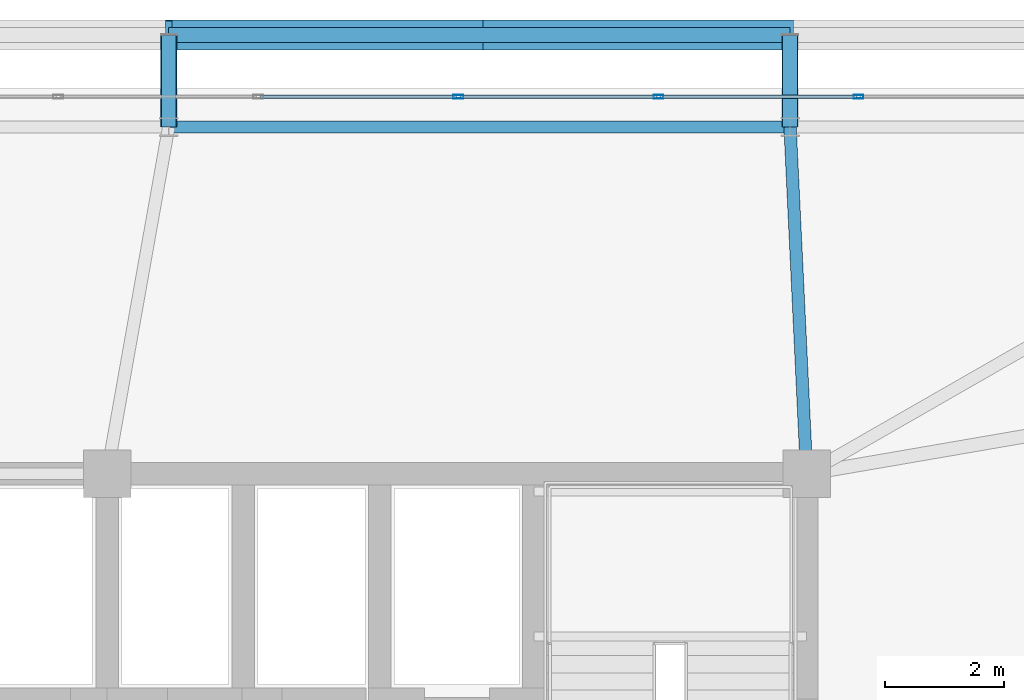
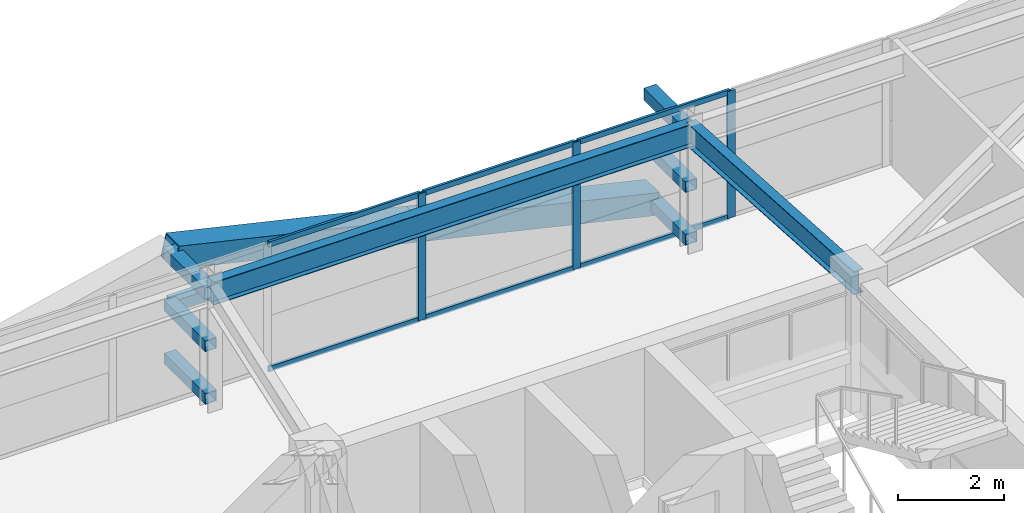
# One storey, part 38 of 59: 18 members, 2 beams, 1 element without a shape of its own.
"""IFC4 building model written with IfcOpenShell, lengths in metres."""

from ifc_helpers import new_model, si_unit, direction, frame, origin, origin_2d, place, context, subcontext, project, spatial, hollow_rectangle, i_section, extrude, source, transform, mapped, material, layer, layer_set, material_profile, profile_set, type_object, element, aggregate, save


model = new_model("IFC4")

# Units and contexts
model_context = context("Model", 3, precision=1e-05, world=origin(), true_north=direction((0.0, 1.0)))
body_context = subcontext(model_context, "Body", "Model", "MODEL_VIEW")
ifc_project = project(units=[si_unit("LENGTHUNIT", "METRE"), si_unit("AREAUNIT", "SQUARE_METRE"), si_unit("VOLUMEUNIT", "CUBIC_METRE"), si_unit("PLANEANGLEUNIT", "RADIAN"), si_unit("MASSUNIT", "GRAM", prefix="KILO")], contexts=[model_context])

# Site, building, storey
site_placement = place(None, origin())
site = spatial("IfcSite", under=ifc_project, at=site_placement, CompositionType="ELEMENT")
building_placement = place(site_placement, origin())
building = spatial("IfcBuilding", under=site, at=building_placement, Name="Taldren Reach Tower", CompositionType="ELEMENT")
storey_placement = place(building_placement, frame((0.0, 0.0, 29.39990234375)))
storey = spatial("IfcBuildingStorey", under=building, at=storey_placement, Name="L08", CompositionType="ELEMENT", Elevation=29.39990234375)

# Beams
ifc_material_1 = material(Name="Steel Gr 350 (350PLUS)", Category="steel")
ifc_material_profile_1 = material_profile(ifc_material_1, i_section(OverallWidth=0.208984375, OverallDepth=0.528076171875, WebThickness=0.009521484375, FlangeThickness=0.01318359375, at=origin_2d()), Name="530UB82.0")
ifc_profile_set_1 = profile_set([ifc_material_profile_1], Name="Steel Gr 350 (350PLUS)")
beam_type_1 = type_object("IfcBeamType", Name="SP-UB530B", PredefinedType="SPANDREL", material=ifc_profile_set_1)
shared_shape_1 = source(origin(), body_context, "Body", "SweptSolid", [
    extrude(i_section(OverallWidth=0.208984375, OverallDepth=0.528076171875, WebThickness=0.009521484375, FlangeThickness=0.01318359375, at=origin_2d()), origin(), (0.0, 0.0, 1.0), 10.47998046875),
])
beam_1_placement = place(storey_placement, frame((50.719970703125, 37.85009765625, 2.666015625), z_axis=(-1.0, 0.0, 0.0), x_axis=(0.0, -1.0, 0.0)))
element("IfcBeam", 1, at=beam_1_placement, inside=storey, type_object=beam_type_1, Name="Perimeter spandrel B1 N5-N4 L08", PredefinedType="SPANDREL", context=body_context, shape_type="MappedRepresentation", body=[
    mapped(shared_shape_1, transform((0.0, 0.0, 0.0), scale=1.0)),
])
ifc_material_profile_2 = material_profile(ifc_material_1, i_section(OverallWidth=0.208984375, OverallDepth=0.532958984375, WebThickness=0.01025390625, FlangeThickness=0.015625, at=origin_2d()), Name="530UB92.4")
ifc_profile_set_2 = profile_set([ifc_material_profile_2], Name="Steel Gr 350 (350PLUS)")
beam_type_2 = type_object("IfcBeamType", Name="BM-UB530A", PredefinedType="BEAM", material=ifc_profile_set_2)
shared_shape_2 = source(origin(), body_context, "Body", "SweptSolid", [
    extrude(i_section(OverallWidth=0.208984375, OverallDepth=0.532958984375, WebThickness=0.01025390625, FlangeThickness=0.015625, at=origin_2d()), origin(), (0.0, 0.0, 1.0), 5.856689453125),
])
beam_2_placement = place(storey_placement, frame((51.0, 32.0, 2.66357421875), z_axis=(-0.047812711672, 0.998856318297, 0.0), x_axis=(-0.998856318297, -0.047812711672, 0.0)))
element("IfcBeam", 2, at=beam_2_placement, inside=storey, type_object=beam_type_2, Name="Primary floor girder B1-N5 L08", PredefinedType="BEAM", context=body_context, shape_type="MappedRepresentation", body=[
    mapped(shared_shape_2, transform((0.0, 0.0, 0.0), scale=1.0)),
])

# Members
ifc_material_2 = material(Name="Steel Gr 450 (C450L0)", Category="steel")
ifc_material_profile_3 = material_profile(ifc_material_2, hollow_rectangle(XDim=0.27490234375, YDim=0.27490234375, WallThickness=0.00927734375, at=origin_2d()), Name="275x275x9.3SHS")
ifc_profile_set_3 = profile_set([ifc_material_profile_3], Name="Steel Gr 450 (C450L0)")
member_type_1 = type_object("IfcMemberType", Name="MB-TIE273", PredefinedType="STRUT", material=ifc_profile_set_3)
shared_shape_3 = source(origin(), body_context, "Body", "SweptSolid", [
    extrude(hollow_rectangle(XDim=0.27490234375, YDim=0.27490234375, WallThickness=0.00927734375, at=origin_2d()), origin(), (0.0, 0.0, 1.0), 1.5498046875),
])
for number, where, z_axis, x_axis, name in (
    (3, (40.239990234375, 37.85009765625, 2.650146484375), (0.0, 1.0, 0.0), (-1.0, 0.0, 0.0), "Exoskeleton diaphragm tie strut B1-N4 L08"),
    (4, (50.719970703125, 37.85009765625, 2.650146484375), (0.0, 1.0, 0.0), (-1.0, 0.0, 0.0), "Exoskeleton diaphragm tie strut B1-N5 L08"),
):
    element("IfcMember", number, at=place(storey_placement, frame(where, z_axis=z_axis, x_axis=x_axis)), inside=storey, type_object=member_type_1, Name=name, PredefinedType="STRUT", context=body_context, shape_type="MappedRepresentation", body=[
        mapped(shared_shape_3, transform((0.0, 0.0, 0.0), scale=1.0)),
    ])
ifc_material_profile_4 = material_profile(ifc_material_2, hollow_rectangle(XDim=0.510009765625, YDim=0.510009765625, WallThickness=0.02001953125, at=origin_2d()), Name="510x510x20.0SHS")
ifc_profile_set_4 = profile_set([ifc_material_profile_4], Name="Steel Gr 450 (C450L0)")
member_type_2 = type_object("IfcMemberType", Name="MB-EXO508", PredefinedType="BRACE", material=ifc_profile_set_4)
shared_shape_4 = source(origin(), body_context, "Body", "SweptSolid", [
    extrude(hollow_rectangle(XDim=0.510009765625, YDim=0.510009765625, WallThickness=0.02001953125, at=origin_2d()), origin(), (0.0, 0.0, 1.0), 5.37890625),
])
for number, where, z_axis, x_axis, name in (
    (5, (50.719970703125, 39.39990234375, 0.22021484375), (-0.974161966843, 0.0, 0.225850531007), (0.0, -1.0, 0.0), "Exoskeleton Diagrid Brace B1-N4 L08"),
    (6, (45.47998046875, 39.39990234375, 1.43505859375), (-0.97415197996, 0.0, 0.225893603143), (0.0, -1.0, 0.0), "Exoskeleton Diagrid Brace B1-N4 L08"),
):
    element("IfcMember", number, at=place(storey_placement, frame(where, z_axis=z_axis, x_axis=x_axis)), inside=storey, type_object=member_type_2, Name=name, PredefinedType="BRACE", context=body_context, shape_type="MappedRepresentation", body=[
        mapped(shared_shape_4, transform((0.0, 0.0, 0.0), scale=1.0)),
    ])
ifc_material_3 = material(Name="Steel Gr 350 (C350L0)", Category="steel")
ifc_material_profile_5 = material_profile(ifc_material_3, hollow_rectangle(XDim=0.25, YDim=0.25, WallThickness=0.010009765625, at=origin_2d()), Name="250x250x10.0SHS")
ifc_profile_set_5 = profile_set([ifc_material_profile_5], Name="Steel Gr 350 (C350L0)")
member_type_3 = type_object("IfcMemberType", Name="MB-POST250", PredefinedType="POST", material=ifc_profile_set_5)
shared_shape_5 = source(origin(), body_context, "Body", "SweptSolid", [
    extrude(hollow_rectangle(XDim=0.25, YDim=0.25, WallThickness=0.010009765625, at=origin_2d()), origin(), (0.0, 0.0, 1.0), 10.47998046875),
])
member_1_placement = place(storey_placement, frame((40.239990234375, 39.39990234375, 1.43505859375), z_axis=(1.0, 0.0, 0.0), x_axis=(0.0, 1.0, 0.0)))
element("IfcMember", 7, at=member_1_placement, inside=storey, type_object=member_type_3, Name="Exoskeleton mid-height ring chord B1-N4 L08", PredefinedType="POST", context=body_context, shape_type="MappedRepresentation", body=[
    mapped(shared_shape_5, transform((0.0, 0.0, 0.0), scale=1.0)),
])
shared_shape_6 = source(origin(), body_context, "Body", "SweptSolid", [
    extrude(hollow_rectangle(XDim=0.25, YDim=0.25, WallThickness=0.010009765625, at=origin_2d()), origin(), (0.0, 0.0, 1.0), 1.5498046875),
])
for number, where, z_axis, x_axis, name in (
    (8, (40.239990234375, 37.85009765625, 0.22021484375), (0.0, 1.0, 0.0), (-1.0, 0.0, 0.0), "Exoskeleton base diaphragm tie strut B1-N4 L08"),
    (9, (50.719970703125, 37.85009765625, 0.22021484375), (0.0, 1.0, 0.0), (-1.0, 0.0, 0.0), "Exoskeleton base diaphragm tie strut B1-N5 L08"),
    (10, (40.239990234375, 37.85009765625, 1.43505859375), (0.0, 1.0, 0.0), (-1.0, 0.0, 0.0), "Exoskeleton mid-tier diaphragm tie B1-N4 L08"),
    (11, (50.719970703125, 37.85009765625, 1.43505859375), (0.0, 1.0, 0.0), (-1.0, 0.0, 0.0), "Exoskeleton mid-tier diaphragm tie B1-N5 L08"),
):
    element("IfcMember", number, at=place(storey_placement, frame(where, z_axis=z_axis, x_axis=x_axis)), inside=storey, type_object=member_type_3, Name=name, PredefinedType="POST", context=body_context, shape_type="MappedRepresentation", body=[
        mapped(shared_shape_6, transform((0.0, 0.0, 0.0), scale=1.0)),
    ])

# Curtain wall, members
ifc_material_4 = material(Name="Aluminium and Low-E Glass Unitised System", Category="aluminium")
ifc_layer = layer(ifc_material_4, 0.159912109375)
ifc_layer_set = layer_set([ifc_layer], Name="Aluminium and Low-E Glass Unitised System")
curtain_wall_type = type_object("IfcCurtainWallType", Name="CW-SYS-2", PredefinedType="NOTDEFINED", material=ifc_layer_set)
curtain_wall_placement = place(storey_placement, origin())
curtain_wall = element("IfcCurtainWall", 12, at=curtain_wall_placement, inside=storey, type_object=curtain_wall_type, Name="Unitised curtain wall CW-L08-N", PredefinedType="NOTDEFINED")
ifc_material_5 = material(Name="Anodised Aluminium 6063-T6", Category="aluminium")
ifc_material_profile_6 = material_profile(ifc_material_5, hollow_rectangle(XDim=0.054931640625, YDim=0.1201171875, WallThickness=0.0029296875, at=origin_2d()), Name="ALU-120x55x3RHS")
ifc_profile_set_6 = profile_set([ifc_material_profile_6], Name="Anodised Aluminium 6063-T6")
member_type_4 = type_object("IfcMemberType", Name="CW-TRN-135", PredefinedType="USERDEFINED", material=ifc_profile_set_6)
shared_shape_7 = source(origin(), body_context, "Body", "SweptSolid", [
    extrude(hollow_rectangle(XDim=0.054931640625, YDim=0.1201171875, WallThickness=0.0029296875, at=origin_2d()), origin(), (0.0, 0.0, 1.0), 3.31005859375),
])
member_2_placement = place(storey_placement, frame((51.842529296875, 38.360107421875, 0.027587890625), z_axis=(-1.0, 0.0, 0.0), x_axis=(0.0, -1.0, 0.0)))
member_2 = element("IfcMember", 13, at=member_2_placement, type_object=member_type_4, Name="CW-2 transom 4.1", ObjectType="TRANSOM", PredefinedType="USERDEFINED", context=body_context, shape_type="MappedRepresentation", body=[
    mapped(shared_shape_7, transform((0.0, 0.0, 0.0), scale=1.0)),
])
member_3_placement = place(storey_placement, frame((51.842529296875, 38.360107421875, 2.902587890625), z_axis=(-1.0, 0.0, 0.0), x_axis=(0.0, -1.0, 0.0)))
member_3 = element("IfcMember", 14, at=member_3_placement, type_object=member_type_4, Name="CW-2 transom 4.2", ObjectType="TRANSOM", PredefinedType="USERDEFINED", context=body_context, shape_type="MappedRepresentation", body=[
    mapped(shared_shape_7, transform((0.0, 0.0, 0.0), scale=1.0)),
])
member_4_placement = place(storey_placement, frame((48.467529296875, 38.360107421875, 0.027587890625), z_axis=(-1.0, 0.0, 0.0), x_axis=(0.0, -1.0, 0.0)))
member_4 = element("IfcMember", 15, at=member_4_placement, type_object=member_type_4, Name="CW-2 transom 5.1", ObjectType="TRANSOM", PredefinedType="USERDEFINED", context=body_context, shape_type="MappedRepresentation", body=[
    mapped(shared_shape_7, transform((0.0, 0.0, 0.0), scale=1.0)),
])
member_5_placement = place(storey_placement, frame((48.467529296875, 38.360107421875, 2.902587890625), z_axis=(-1.0, 0.0, 0.0), x_axis=(0.0, -1.0, 0.0)))
member_5 = element("IfcMember", 16, at=member_5_placement, type_object=member_type_4, Name="CW-2 transom 5.2", ObjectType="TRANSOM", PredefinedType="USERDEFINED", context=body_context, shape_type="MappedRepresentation", body=[
    mapped(shared_shape_7, transform((0.0, 0.0, 0.0), scale=1.0)),
])
member_6_placement = place(storey_placement, frame((45.092529296875, 38.360107421875, 0.027587890625), z_axis=(-1.0, 0.0, 0.0), x_axis=(0.0, -1.0, 0.0)))
member_6 = element("IfcMember", 17, at=member_6_placement, type_object=member_type_4, Name="CW-2 transom 6.1", ObjectType="TRANSOM", PredefinedType="USERDEFINED", context=body_context, shape_type="MappedRepresentation", body=[
    mapped(shared_shape_7, transform((0.0, 0.0, 0.0), scale=1.0)),
])
member_7_placement = place(storey_placement, frame((45.092529296875, 38.360107421875, 2.902587890625), z_axis=(-1.0, 0.0, 0.0), x_axis=(0.0, -1.0, 0.0)))
member_7 = element("IfcMember", 18, at=member_7_placement, type_object=member_type_4, Name="CW-2 transom 6.2", ObjectType="TRANSOM", PredefinedType="USERDEFINED", context=body_context, shape_type="MappedRepresentation", body=[
    mapped(shared_shape_7, transform((0.0, 0.0, 0.0), scale=1.0)),
])
ifc_material_profile_7 = material_profile(ifc_material_5, hollow_rectangle(XDim=0.06494140625, YDim=0.1650390625, WallThickness=0.00390625, at=origin_2d()), Name="ALU-165x65x4RHS")
ifc_profile_set_7 = profile_set([ifc_material_profile_7], Name="Anodised Aluminium 6063-T6")
member_type_5 = type_object("IfcMemberType", Name="CW-MUL-165", PredefinedType="MULLION", material=ifc_profile_set_7)
shared_shape_8 = source(origin(), body_context, "Body", "SweptSolid", [
    extrude(hollow_rectangle(XDim=0.06494140625, YDim=0.1650390625, WallThickness=0.00390625, at=origin_2d()), origin(), (0.0, 0.0, 1.0), 2.93017578125),
])
member_8_placement = place(storey_placement, frame((51.875, 38.360107421875, 0.0), z_axis=(0.0, 0.0, 1.0), x_axis=(0.0, -1.0, 0.0)))
member_8 = element("IfcMember", 19, at=member_8_placement, type_object=member_type_5, Name="CW-2 mullion 4", PredefinedType="MULLION", context=body_context, shape_type="MappedRepresentation", body=[
    mapped(shared_shape_8, transform((0.0, 0.0, 0.0), scale=1.0)),
])
member_9_placement = place(storey_placement, frame((48.5, 38.360107421875, 0.0), z_axis=(0.0, 0.0, 1.0), x_axis=(0.0, -1.0, 0.0)))
member_9 = element("IfcMember", 20, at=member_9_placement, type_object=member_type_5, Name="CW-2 mullion 5", PredefinedType="MULLION", context=body_context, shape_type="MappedRepresentation", body=[
    mapped(shared_shape_8, transform((0.0, 0.0, 0.0), scale=1.0)),
])
member_10_placement = place(storey_placement, frame((45.125, 38.360107421875, 0.0), z_axis=(0.0, 0.0, 1.0), x_axis=(0.0, -1.0, 0.0)))
member_10 = element("IfcMember", 21, at=member_10_placement, type_object=member_type_5, Name="CW-2 mullion 6", PredefinedType="MULLION", context=body_context, shape_type="MappedRepresentation", body=[
    mapped(shared_shape_8, transform((0.0, 0.0, 0.0), scale=1.0)),
])
aggregate(curtain_wall, [member_8, member_9, member_10, member_2, member_3, member_4, member_5, member_6, member_7])

save(model, "model.ifc")
